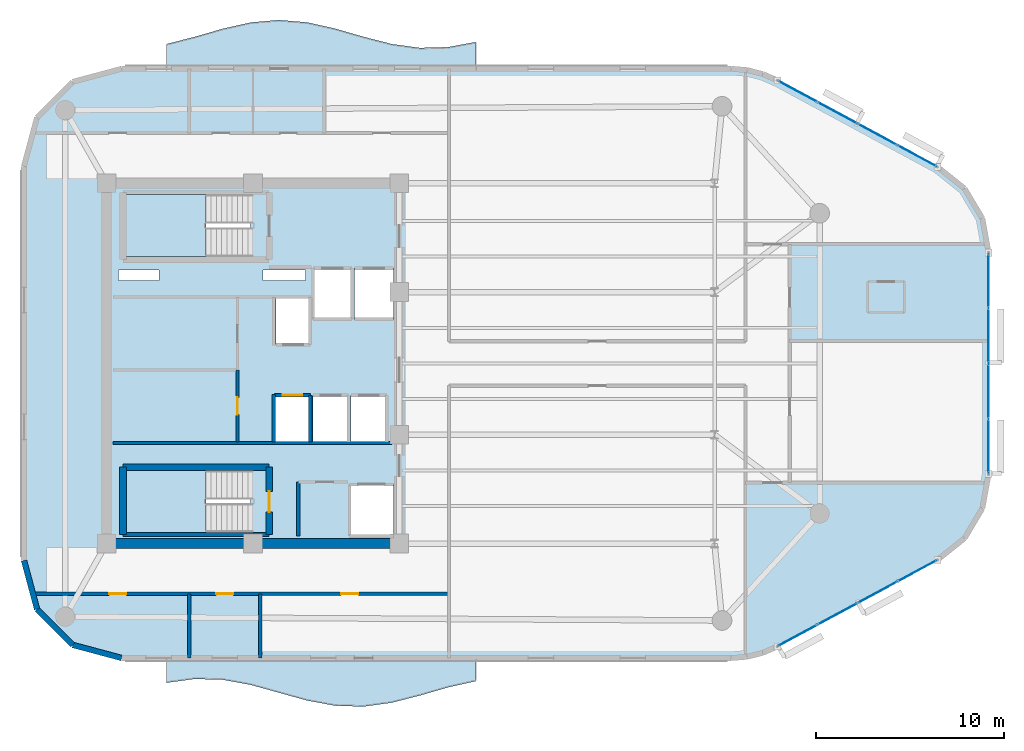
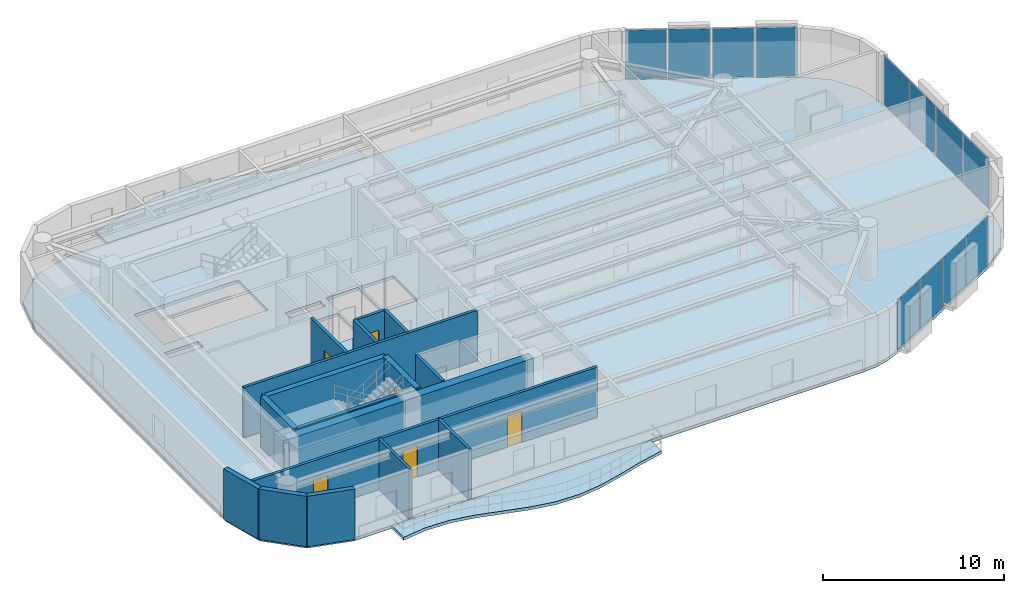
# One storey, part 8 of 13: 17 walls, 12 plates, 6 doors, 5 slabs, 6 openings, 5 elements without a shape of their own.
"""IFC4 building model written with IfcOpenShell, lengths in metres."""

from ifc_helpers import new_model, si_unit, direction, frame, frame_2d, origin, origin_2d, place, context, subcontext, project, spatial, polyline, rectangle, outline, extrude, material, layer, layer_set, type_object, element, fill, aggregate, save


model = new_model("IFC4")

# Units and contexts
model_context = context("Model", 3, precision=1e-05, world=origin(), true_north=direction((0.0, 1.0)))
body_context = subcontext(model_context, "Body", "Model", "MODEL_VIEW")
ifc_project = project(units=[si_unit("LENGTHUNIT", "METRE"), si_unit("AREAUNIT", "SQUARE_METRE"), si_unit("VOLUMEUNIT", "CUBIC_METRE"), si_unit("PLANEANGLEUNIT", "RADIAN"), si_unit("MASSUNIT", "GRAM", prefix="KILO")], contexts=[model_context])

# Site, building, storey
site_placement = place(None, origin())
site = spatial("IfcSite", under=ifc_project, at=site_placement, CompositionType="ELEMENT")
building_placement = place(site_placement, origin())
building = spatial("IfcBuilding", under=site, at=building_placement, Name="An Khanh Terracotta Commons", CompositionType="ELEMENT")
storey_placement = place(building_placement, frame((0.0, 0.0, 226.5)))
storey = spatial("IfcBuildingStorey", under=building, at=storey_placement, Name="L59", CompositionType="ELEMENT", Elevation=226.5)

# Curtain wall, plates
ifc_material_1 = material(Name="Anodised Aluminium 6063-T6", Category="aluminium")
ifc_layer_1 = layer(ifc_material_1, 0.2099609375, Name="Anodised Aluminium 6063-T6")
ifc_layer_set_1 = layer_set([ifc_layer_1], Name="Anodised Aluminium 6063-T6")
curtain_wall_type = type_object("IfcCurtainWallType", Name="CW-SYS-03", PredefinedType="USERDEFINED", material=ifc_layer_set_1)
curtain_wall_1_placement = place(storey_placement, origin())
curtain_wall_1 = element("IfcCurtainWall", 1, at=curtain_wall_1_placement, inside=storey, type_object=curtain_wall_type, Name="L59 CW-03 Unitised Curtain Wall CW-L59-08", ObjectType="UNITISED CURTAIN WALL", PredefinedType="USERDEFINED")
ifc_material_2 = material(Name="Acoustic Laminated Low-E Glazing", Category="glass")
ifc_layer_2 = layer(ifc_material_2, 0.035888671875, Name="Acoustic Laminated Low-E Glazing")
ifc_layer_set_2 = layer_set([ifc_layer_2], Name="Acoustic Laminated Low-E Glazing")
plate_type = type_object("IfcPlateType", Name="CWP-IGU-36", PredefinedType="CURTAIN_PANEL", material=ifc_layer_set_2)
plate_1_placement = place(storey_placement, frame((58.436767578125, 9.508544921875, 0.0498046875), z_axis=(0.0, 0.0, 1.0), x_axis=(0.879780095306, 0.47538088298, 0.0)))
plate_1 = element("IfcPlate", 2, at=plate_1_placement, type_object=plate_type, Name="CW-03 panel 1.1", PredefinedType="CURTAIN_PANEL", context=body_context, shape_type="SweptSolid", body=[
    extrude(rectangle(XDim=2.314697265625, YDim=0.035888671875, at=origin_2d()), origin(), (0.0, 0.0, 1.0), 3.300048828125),
])
plate_2_placement = place(storey_placement, frame((60.550048828125, 10.650390625, 0.0498046875), z_axis=(0.0, 0.0, 1.0), x_axis=(0.879780095306, 0.47538088298, 0.0)))
plate_2 = element("IfcPlate", 3, at=plate_2_placement, type_object=plate_type, Name="CW-03 panel 2.1", PredefinedType="CURTAIN_PANEL", context=body_context, shape_type="SweptSolid", body=[
    extrude(rectangle(XDim=2.349609375, YDim=0.035888671875, at=origin_2d()), origin(), (0.0, 0.0, 1.0), 3.300048828125),
])
plate_3_placement = place(storey_placement, frame((62.678955078125, 11.800537109375, 0.0498046875), z_axis=(0.0, 0.0, 1.0), x_axis=(0.879780095306, 0.47538088298, 0.0)))
plate_3 = element("IfcPlate", 4, at=plate_3_placement, type_object=plate_type, Name="CW-03 panel 3.1", PredefinedType="CURTAIN_PANEL", context=body_context, shape_type="SweptSolid", body=[
    extrude(rectangle(XDim=2.349609375, YDim=0.035888671875, at=origin_2d()), origin(), (0.0, 0.0, 1.0), 3.300048828125),
])
plate_4_placement = place(storey_placement, frame((64.792236328125, 12.942626953125, 0.0498046875), z_axis=(0.0, 0.0, 1.0), x_axis=(0.879780095306, 0.47538088298, 0.0)))
plate_4 = element("IfcPlate", 5, at=plate_4_placement, type_object=plate_type, Name="CW-03 panel 4.1", PredefinedType="CURTAIN_PANEL", context=body_context, shape_type="SweptSolid", body=[
    extrude(rectangle(XDim=2.314697265625, YDim=0.035888671875, at=origin_2d()), origin(), (0.0, 0.0, 1.0), 3.300048828125),
])
aggregate(curtain_wall_1, [plate_1, plate_2, plate_3, plate_4])

curtain_wall_2_placement = place(storey_placement, origin())
curtain_wall_2 = element("IfcCurtainWall", 6, at=curtain_wall_2_placement, inside=storey, type_object=curtain_wall_type, Name="L59 CW-03 Unitised Curtain Wall CW-L59-12", ObjectType="UNITISED CURTAIN WALL", PredefinedType="USERDEFINED")
plate_5_placement = place(storey_placement, frame((68.60009765625, 19.59326171875, 0.0498046875), z_axis=(0.0, 0.0, 1.0), x_axis=(0.0, 1.0, 0.0)))
plate_5 = element("IfcPlate", 7, at=plate_5_placement, type_object=plate_type, Name="CW-03 panel 1.1", PredefinedType="CURTAIN_PANEL", context=body_context, shape_type="SweptSolid", body=[
    extrude(rectangle(XDim=2.844482421875, YDim=0.035888671875, at=origin_2d()), origin(), (0.0, 0.0, 1.0), 3.300048828125),
])
plate_6_placement = place(storey_placement, frame((68.60009765625, 22.525146484375, 0.0498046875), z_axis=(0.0, 0.0, 1.0), x_axis=(0.0, 1.0, 0.0)))
plate_6 = element("IfcPlate", 8, at=plate_6_placement, type_object=plate_type, Name="CW-03 panel 2.1", PredefinedType="CURTAIN_PANEL", context=body_context, shape_type="SweptSolid", body=[
    extrude(rectangle(XDim=2.87939453125, YDim=0.035888671875, at=origin_2d()), origin(), (0.0, 0.0, 1.0), 3.300048828125),
])
plate_7_placement = place(storey_placement, frame((68.60009765625, 25.474853515625, 0.0498046875), z_axis=(0.0, 0.0, 1.0), x_axis=(0.0, 1.0, 0.0)))
plate_7 = element("IfcPlate", 9, at=plate_7_placement, type_object=plate_type, Name="CW-03 panel 3.1", PredefinedType="CURTAIN_PANEL", context=body_context, shape_type="SweptSolid", body=[
    extrude(rectangle(XDim=2.87939453125, YDim=0.035888671875, at=origin_2d()), origin(), (0.0, 0.0, 1.0), 3.300048828125),
])
plate_8_placement = place(storey_placement, frame((68.60009765625, 28.40673828125, 0.0498046875), z_axis=(0.0, 0.0, 1.0), x_axis=(0.0, 1.0, 0.0)))
plate_8 = element("IfcPlate", 10, at=plate_8_placement, type_object=plate_type, Name="CW-03 panel 4.1", PredefinedType="CURTAIN_PANEL", context=body_context, shape_type="SweptSolid", body=[
    extrude(rectangle(XDim=2.844482421875, YDim=0.035888671875, at=origin_2d()), origin(), (0.0, 0.0, 1.0), 3.300048828125),
])
aggregate(curtain_wall_2, [plate_5, plate_6, plate_7, plate_8])

curtain_wall_3_placement = place(storey_placement, origin())
curtain_wall_3 = element("IfcCurtainWall", 11, at=curtain_wall_3_placement, inside=storey, type_object=curtain_wall_type, Name="L59 CW-03 Unitised Curtain Wall CW-L59-16", ObjectType="UNITISED CURTAIN WALL", PredefinedType="USERDEFINED")
plate_9_placement = place(storey_placement, frame((64.792236328125, 35.057373046875, 0.0498046875), z_axis=(0.0, 0.0, 1.0), x_axis=(-0.879780095306, 0.47538088298, 0.0)))
plate_9 = element("IfcPlate", 12, at=plate_9_placement, type_object=plate_type, Name="CW-03 panel 1.1", PredefinedType="CURTAIN_PANEL", context=body_context, shape_type="SweptSolid", body=[
    extrude(rectangle(XDim=2.314697265625, YDim=0.035888671875, at=origin_2d()), origin(), (0.0, 0.0, 1.0), 3.300048828125),
])
plate_10_placement = place(storey_placement, frame((62.678955078125, 36.199462890625, 0.0498046875), z_axis=(0.0, 0.0, 1.0), x_axis=(-0.879780095306, 0.47538088298, 0.0)))
plate_10 = element("IfcPlate", 13, at=plate_10_placement, type_object=plate_type, Name="CW-03 panel 2.1", PredefinedType="CURTAIN_PANEL", context=body_context, shape_type="SweptSolid", body=[
    extrude(rectangle(XDim=2.349609375, YDim=0.035888671875, at=origin_2d()), origin(), (0.0, 0.0, 1.0), 3.300048828125),
])
plate_11_placement = place(storey_placement, frame((60.550048828125, 37.349609375, 0.0498046875), z_axis=(0.0, 0.0, 1.0), x_axis=(-0.879780095306, 0.47538088298, 0.0)))
plate_11 = element("IfcPlate", 14, at=plate_11_placement, type_object=plate_type, Name="CW-03 panel 3.1", PredefinedType="CURTAIN_PANEL", context=body_context, shape_type="SweptSolid", body=[
    extrude(rectangle(XDim=2.349609375, YDim=0.035888671875, at=origin_2d()), origin(), (0.0, 0.0, 1.0), 3.300048828125),
])
plate_12_placement = place(storey_placement, frame((58.436767578125, 38.491455078125, 0.0498046875), z_axis=(0.0, 0.0, 1.0), x_axis=(-0.879780095306, 0.47538088298, 0.0)))
plate_12 = element("IfcPlate", 15, at=plate_12_placement, type_object=plate_type, Name="CW-03 panel 4.1", PredefinedType="CURTAIN_PANEL", context=body_context, shape_type="SweptSolid", body=[
    extrude(rectangle(XDim=2.314697265625, YDim=0.035888671875, at=origin_2d()), origin(), (0.0, 0.0, 1.0), 3.300048828125),
])
aggregate(curtain_wall_3, [plate_9, plate_10, plate_11, plate_12])

# Slabs
ifc_material_3 = material(Name="Concrete C40/50", Category="concrete")
ifc_layer_3 = layer(ifc_material_3, 0.199951171875, Name="Concrete C40/50")
ifc_layer_set_3 = layer_set([ifc_layer_3], Name="Concrete C40/50")
slab_type_1 = type_object("IfcSlabType", Name="SLAB-BALC-200", PredefinedType="FLOOR", material=ifc_layer_set_3)
slab_1_placement = place(storey_placement, frame((0.0, 0.0, -0.199951171875)))
element("IfcSlab", 16, at=slab_1_placement, inside=storey, type_object=slab_type_1, Name="L59 S Sinusoidal Wave Balcony Slab", PredefinedType="FLOOR", context=body_context, shape_type="SweptSolid", body=[
    extrude(outline(polyline([(24.800048828125, 8.300048828125), (24.800048828125, 6.97998046875), (26.300048828125, 7.18603515625), (27.800048828125, 7.14306640625), (29.300048828125, 6.866943359375), (30.800048828125, 6.449951171875), (32.300048828125, 6.032958984375), (33.800048828125, 5.757080078125), (35.300048828125, 5.714111328125), (36.800048828125, 5.919921875), (38.300048828125, 6.303955078125), (39.800048828125, 6.737060546875), (41.300048828125, 7.073974609375), (41.300048828125, 8.300048828125), (24.800048828125, 8.300048828125)])), origin(), (0.0, 0.0, 1.0), 0.199951171875),
])
slab_2_placement = place(storey_placement, frame((0.0, 0.0, -0.199951171875)))
element("IfcSlab", 17, at=slab_2_placement, inside=storey, type_object=slab_type_1, Name="L59 N Sinusoidal Wave Balcony Slab", PredefinedType="FLOOR", context=body_context, shape_type="SweptSolid", body=[
    extrude(outline(polyline([(41.300048828125, 39.699951171875), (41.300048828125, 41.133056640625), (39.800048828125, 40.85693359375), (38.300048828125, 40.81396484375), (36.800048828125, 41.02001953125), (35.300048828125, 41.404052734375), (33.800048828125, 41.8369140625), (32.300048828125, 42.174072265625), (30.800048828125, 42.300048828125), (29.300048828125, 42.174072265625), (27.800048828125, 41.8369140625), (26.300048828125, 41.404052734375), (24.800048828125, 41.02001953125), (24.800048828125, 39.699951171875), (41.300048828125, 39.699951171875)])), origin(), (0.0, 0.0, 1.0), 0.199951171875),
])

# Stair, slab
ifc_material_4 = material(Name="Precast concrete C40/50", Category="concrete")
stair_type = type_object("IfcStairType", Name="STAIR-CORE-1550", PredefinedType="HALF_TURN_STAIR", material=ifc_material_4)
stair_1_placement = place(storey_placement, origin())
stair_1 = element("IfcStair", 18, at=stair_1_placement, inside=storey, type_object=stair_type, Name="L59 Core Smokeproof Exit Stair ST-01", PredefinedType="HALF_TURN_STAIR")
ifc_layer_4 = layer(ifc_material_3, 0.18994140625, Name="Concrete C40/50")
ifc_layer_set_4 = layer_set([ifc_layer_4], Name="Concrete C40/50")
slab_type_2 = type_object("IfcSlabType", Name="SLAB-LANDING-190", PredefinedType="LANDING", material=ifc_layer_set_4)
slab_3_placement = place(storey_placement, frame((0.0, 0.0, 1.60009765625)))
slab_3 = element("IfcSlab", 19, at=slab_3_placement, type_object=slab_type_2, Name="ST-01 landing 1", PredefinedType="LANDING", context=body_context, shape_type="SweptSolid", body=[
    extrude(outline(polyline([(26.889892578125, 33.0), (22.64990234375, 33.0), (22.64990234375, 29.699951171875), (26.889892578125, 29.699951171875), (26.889892578125, 33.0)])), origin(), (0.0, 0.0, 1.0), 0.199951171875),
])
aggregate(stair_1, [slab_3])

stair_2_placement = place(storey_placement, origin())
stair_2 = element("IfcStair", 20, at=stair_2_placement, inside=storey, type_object=stair_type, Name="L59 Core Smokeproof Exit Stair ST-02", PredefinedType="HALF_TURN_STAIR")
slab_4_placement = place(storey_placement, frame((0.0, 0.0, 1.60009765625)))
slab_4 = element("IfcSlab", 21, at=slab_4_placement, type_object=slab_type_2, Name="ST-02 landing 1", PredefinedType="LANDING", context=body_context, shape_type="SweptSolid", body=[
    extrude(outline(polyline([(26.889892578125, 18.300048828125), (22.64990234375, 18.300048828125), (22.64990234375, 15.0), (26.889892578125, 15.0), (26.889892578125, 18.300048828125)])), origin(), (0.0, 0.0, 1.0), 0.199951171875),
])
aggregate(stair_2, [slab_4])

# Slab
ifc_layer_5 = layer(ifc_material_3, 0.199951171875, Name="Concrete C40/50")
ifc_layer_set_5 = layer_set([ifc_layer_5], Name="Concrete C40/50")
slab_type_3 = type_object("IfcSlabType", Name="SLAB-TYP-200", PredefinedType="FLOOR", material=ifc_layer_set_5)
slab_5_placement = place(storey_placement, frame((0.0, 0.0, -0.199951171875)))
element("IfcSlab", 22, at=slab_5_placement, inside=storey, type_object=slab_type_3, Name="L59 Structural Floor Slab", PredefinedType="FLOOR", context=body_context, shape_type="SweptSolid", body=[
    extrude(outline(polyline([(17.199951171875, 13.5), (17.89697265625, 10.89990234375), (19.800048828125, 8.9970703125), (22.39990234375, 8.300048828125), (54.885009765625, 8.300048828125), (55.739990234375, 8.37109375), (56.571044921875, 8.5810546875), (57.35693359375, 8.925048828125), (65.8720703125, 13.52587890625), (67.320068359375, 14.68408203125), (68.26904296875, 16.27587890625), (68.60009765625, 18.10107421875), (68.60009765625, 29.89892578125), (68.26904296875, 31.72412109375), (67.320068359375, 33.31591796875), (65.8720703125, 34.47412109375), (57.35693359375, 39.074951171875), (56.571044921875, 39.4189453125), (55.739990234375, 39.62890625), (54.885009765625, 39.699951171875), (22.39990234375, 39.699951171875), (19.800048828125, 39.0029296875), (17.89697265625, 37.10009765625), (17.199951171875, 34.5), (17.199951171875, 13.5)]), holes=[polyline([(22.64990234375, 29.699951171875), (29.27001953125, 29.699951171875), (29.27001953125, 33.0), (22.64990234375, 33.0), (22.64990234375, 29.699951171875)]), polyline([(22.64990234375, 15.0), (29.27001953125, 15.0), (29.27001953125, 18.300048828125), (22.64990234375, 18.300048828125), (22.64990234375, 15.0)]), polyline([(32.60009765625, 26.35009765625), (34.679931640625, 26.35009765625), (34.679931640625, 29.080078125), (32.60009765625, 29.080078125), (32.60009765625, 26.35009765625)]), polyline([(34.820068359375, 26.35009765625), (36.89990234375, 26.35009765625), (36.89990234375, 29.080078125), (34.820068359375, 29.080078125), (34.820068359375, 26.35009765625)]), polyline([(34.550048828125, 14.800048828125), (36.89990234375, 14.800048828125), (36.89990234375, 17.550048828125), (34.550048828125, 17.550048828125), (34.550048828125, 14.800048828125)]), polyline([(30.639892578125, 25.0), (32.4599609375, 25.0), (32.4599609375, 27.5), (30.639892578125, 27.5), (30.639892578125, 25.0)]), polyline([(30.56005859375, 19.800048828125), (32.4599609375, 19.800048828125), (32.4599609375, 22.300048828125), (30.56005859375, 22.300048828125), (30.56005859375, 19.800048828125)]), polyline([(32.60009765625, 19.800048828125), (34.5, 19.800048828125), (34.5, 22.300048828125), (32.60009765625, 22.300048828125), (32.60009765625, 19.800048828125)]), polyline([(34.639892578125, 19.800048828125), (36.5400390625, 19.800048828125), (36.5400390625, 22.300048828125), (34.639892578125, 22.300048828125), (34.639892578125, 19.800048828125)]), polyline([(22.25, 28.419921875), (24.39990234375, 28.419921875), (24.39990234375, 28.97998046875), (22.25, 28.97998046875), (22.25, 28.419921875)]), polyline([(29.949951171875, 28.419921875), (32.199951171875, 28.419921875), (32.199951171875, 28.97998046875), (29.949951171875, 28.97998046875), (29.949951171875, 28.419921875)])]), origin(), (0.0, 0.0, 1.0), 0.199951171875),
])

# Walls
ifc_material_5 = material(Name="Concrete C50/60", Category="concrete")
ifc_layer_6 = layer(ifc_material_5, 0.550048828125, Name="Concrete C50/60")
ifc_layer_set_6 = layer_set([ifc_layer_6], Name="Concrete C50/60")
wall_type_1 = type_object("IfcWallType", Name="WALL-CORE-550", PredefinedType="SHEAR", material=ifc_layer_set_6)
wall_1_placement = place(storey_placement, frame((37.199951171875, 14.39990234375, 0.0), z_axis=(0.0, 0.0, 1.0), x_axis=(-1.0, 0.0, 0.0)))
element("IfcWall", 23, at=wall_1_placement, inside=storey, type_object=wall_type_1, Name="L59 Core Wall CWALL-L59-S", PredefinedType="SHEAR", context=body_context, shape_type="SweptSolid", body=[
    extrude(rectangle(XDim=15.599853515625, YDim=0.550048828125, at=frame_2d((7.7998046875, 0.0))), origin(), (0.0, 0.0, 1.0), 3.39990234375),
])
ifc_material_6 = material(Name="Fire-Rated Gypsum Board on Steel Stud", Category="steel")
ifc_layer_7 = layer(ifc_material_6, 0.179931640625, Name="Fire-Rated Gypsum Board on Steel Stud")
ifc_layer_set_7 = layer_set([ifc_layer_7], Name="Fire-Rated Gypsum Board on Steel Stud")
wall_type_2 = type_object("IfcWallType", Name="WALL-CORR-180", PredefinedType="PARTITIONING", material=ifc_layer_set_7)
wall_2_placement = place(storey_placement, frame((21.949951171875, 19.760009765625, 0.0), z_axis=(0.0, 0.0, 1.0), x_axis=(1.0, 0.0, 0.0)))
element("IfcWall", 24, at=wall_2_placement, inside=storey, type_object=wall_type_2, Name="L59 Core Wall SVW-L59-N", PredefinedType="PARTITIONING", context=body_context, shape_type="SweptSolid", body=[
    extrude(rectangle(XDim=14.8701171875, YDim=0.179931640625, at=frame_2d((7.43505859375, 0.0))), origin(), (0.0, 0.0, 1.0), 3.39990234375),
])
wall_3_placement = place(storey_placement, frame((31.820068359375, 14.800048828125, 0.0), z_axis=(0.0, 0.0, 1.0), x_axis=(0.0, 1.0, 0.0)))
element("IfcWall", 25, at=wall_3_placement, inside=storey, type_object=wall_type_2, Name="L59 Core Wall SSVCW-L59-W", PredefinedType="PARTITIONING", context=body_context, shape_type="SweptSolid", body=[
    extrude(rectangle(XDim=2.8798828125, YDim=0.179931640625, at=frame_2d((1.43994140625, 0.0))), origin(), (0.0, 0.0, 1.0), 3.39990234375),
])

# Wall, opening, door
wall_4_placement = place(storey_placement, frame((30.56005859375, 22.300048828125, 0.0), z_axis=(0.0, 0.0, 1.0), x_axis=(1.0, 0.0, 0.0)))
wall_4 = element("IfcWall", 26, at=wall_4_placement, inside=storey, type_object=wall_type_2, Name="L59 Core Wall LSH-L59-PL-H2-N", PredefinedType="PARTITIONING", context=body_context, shape_type="SweptSolid", body=[
    extrude(rectangle(XDim=1.89990234375, YDim=0.179931640625, at=frame_2d((0.949951171875, 0.0))), origin(), (0.0, 0.0, 1.0), 3.39990234375),
])
opening_1_placement = place(wall_4_placement, frame((0.425048828125, 0.0, 0.0)))
opening_1 = element("IfcOpeningElement", 27, at=opening_1_placement, cuts=wall_4, Name="Opening LD-PL-H2-L59", PredefinedType="OPENING", context=body_context, shape_type="SweptSolid", body=[
    extrude(rectangle(XDim=1.050048828125, YDim=2.199951171875, at=frame_2d((0.52490234375, 1.10009765625))), frame((0.0, 0.099853515625, 0.0), z_axis=(0.0, -1.0, 0.0), x_axis=(1.0, 0.0, 0.0)), (0.0, 0.0, 1.0), 0.199951171875),
])
ifc_material_7 = material(Name="Brushed Stainless Steel High-Rise Landing Door", Category="steel")
door_type_1 = type_object("IfcDoorType", Name="DOOR-LD-PAXH-1050", OperationType="NOTDEFINED", PredefinedType="DOOR", material=ifc_material_7)
door_1_placement = place(opening_1_placement, origin())
door_1 = element("IfcDoor", 28, at=door_1_placement, inside=storey, type_object=door_type_1, Name="L59 Lift PL-H2 Sliding Landing Door", OperationType="DOUBLE_DOOR_SLIDING", OverallHeight=2.199951171875, OverallWidth=1.050048828125, PredefinedType="DOOR", context=body_context, shape_type="SweptSolid", body=[
    extrude(rectangle(XDim=1.050048828125, YDim=2.199951171875, at=frame_2d((0.52490234375, 1.10009765625))), frame((0.0, 0.02490234375, 0.0), z_axis=(0.0, -1.0, 0.0), x_axis=(1.0, 0.0, 0.0)), (0.0, 0.0, 1.0), 0.050048828125),
])
fill(opening_1, door_1)

# Walls
wall_5_placement = place(storey_placement, frame((32.4599609375, 19.800048828125, 0.0), z_axis=(0.0, 0.0, 1.0), x_axis=(0.0, 1.0, 0.0)))
element("IfcWall", 29, at=wall_5_placement, inside=storey, type_object=wall_type_2, Name="L59 Core Wall LSH-L59-PL-H2-E", PredefinedType="PARTITIONING", context=body_context, shape_type="SweptSolid", body=[
    extrude(rectangle(XDim=2.5, YDim=0.179931640625, at=frame_2d((1.25, 0.0))), origin(), (0.0, 0.0, 1.0), 3.39990234375),
])
wall_6_placement = place(storey_placement, frame((30.52001953125, 19.800048828125, 0.0), z_axis=(0.0, 0.0, 1.0), x_axis=(0.0, 1.0, 0.0)))
element("IfcWall", 30, at=wall_6_placement, inside=storey, type_object=wall_type_2, Name="L59 Core Wall RECW-L59-BE2", PredefinedType="PARTITIONING", context=body_context, shape_type="SweptSolid", body=[
    extrude(rectangle(XDim=2.550048828125, YDim=0.179931640625, at=frame_2d((1.27490234375, 0.0))), origin(), (0.0, 0.0, 1.0), 3.39990234375),
])

# Wall, opening, door
wall_7_placement = place(storey_placement, frame((28.580078125, 19.800048828125, 0.0), z_axis=(0.0, 0.0, 1.0), x_axis=(0.0, 1.0, 0.0)))
wall_7 = element("IfcWall", 31, at=wall_7_placement, inside=storey, type_object=wall_type_2, Name="L59 Core Wall RECW-L59-E2", PredefinedType="PARTITIONING", context=body_context, shape_type="SweptSolid", body=[
    extrude(rectangle(XDim=3.849853515625, YDim=0.179931640625, at=frame_2d((1.9248046875, 0.0))), origin(), (0.0, 0.0, 1.0), 3.39990234375),
])
opening_2_placement = place(wall_7_placement, frame((1.465087890625, 0.0, 0.0)))
opening_2 = element("IfcOpeningElement", 32, at=opening_2_placement, cuts=wall_7, Name="Opening D-RM", PredefinedType="OPENING", context=body_context, shape_type="SweptSolid", body=[
    extrude(rectangle(XDim=0.919921875, YDim=2.10009765625, at=frame_2d((0.4599609375, 1.050048828125))), frame((0.0, 0.099853515625, 0.0), z_axis=(0.0, -1.0, 0.0), x_axis=(1.0, 0.0, 0.0)), (0.0, 0.0, 1.0), 0.199951171875),
])
ifc_material_8 = material(Name="Engineered Hardwood Timber Leaf", Category="wood")
door_type_2 = type_object("IfcDoorType", Name="DOOR-INT-920", OperationType="NOTDEFINED", PredefinedType="DOOR", material=ifc_material_8)
door_2_placement = place(opening_2_placement, origin())
door_2 = element("IfcDoor", 33, at=door_2_placement, inside=storey, type_object=door_type_2, Name="L59 Quiet Fellowship Study Room Door", OperationType="SINGLE_SWING_LEFT", OverallHeight=2.10009765625, OverallWidth=0.919921875, PredefinedType="DOOR", context=body_context, shape_type="SweptSolid", body=[
    extrude(rectangle(XDim=0.919921875, YDim=2.10009765625, at=frame_2d((0.4599609375, 1.050048828125))), frame((0.0, 0.02490234375, 0.0), z_axis=(0.0, -1.0, 0.0), x_axis=(1.0, 0.0, 0.0)), (0.0, 0.0, 1.0), 0.050048828125),
])
fill(opening_2, door_2)

# Wall, openings, doors
wall_8_placement = place(storey_placement, frame((17.677001953125, 11.719970703125, 0.0), z_axis=(0.0, 0.0, 1.0), x_axis=(1.0, 0.0, 0.0)))
wall_8 = element("IfcWall", 34, at=wall_8_placement, inside=storey, type_object=wall_type_2, Name="L59 Interior Partition IW-L59-E001", PredefinedType="PARTITIONING", context=body_context, shape_type="SweptSolid", body=[
    extrude(rectangle(XDim=22.173095703125, YDim=0.179931640625, at=frame_2d((11.08642578125, 0.0))), origin(), (0.0, 0.0, 1.0), 3.39990234375),
])
opening_3_placement = place(wall_8_placement, frame((9.762939453125, 0.0, 0.0)))
opening_3 = element("IfcOpeningElement", 35, at=opening_3_placement, cuts=wall_8, Name="Opening D-RM", PredefinedType="OPENING", context=body_context, shape_type="SweptSolid", body=[
    extrude(rectangle(XDim=0.919921875, YDim=2.10009765625, at=frame_2d((0.4599609375, 1.050048828125))), frame((0.0, 0.099853515625, 0.0), z_axis=(0.0, -1.0, 0.0), x_axis=(1.0, 0.0, 0.0)), (0.0, 0.0, 1.0), 0.199951171875),
])
opening_4_placement = place(wall_8_placement, frame((4.06298828125, 0.0, 0.0)))
opening_4 = element("IfcOpeningElement", 36, at=opening_4_placement, cuts=wall_8, Name="Opening D-RM", PredefinedType="OPENING", context=body_context, shape_type="SweptSolid", body=[
    extrude(rectangle(XDim=0.919921875, YDim=2.10009765625, at=frame_2d((0.4599609375, 1.050048828125))), frame((0.0, 0.099853515625, 0.0), z_axis=(0.0, -1.0, 0.0), x_axis=(1.0, 0.0, 0.0)), (0.0, 0.0, 1.0), 0.199951171875),
])
opening_5_placement = place(wall_8_placement, frame((16.427978515625, 0.0, 0.0)))
opening_5 = element("IfcOpeningElement", 37, at=opening_5_placement, cuts=wall_8, Name="Opening D-RM", PredefinedType="OPENING", context=body_context, shape_type="SweptSolid", body=[
    extrude(rectangle(XDim=0.919921875, YDim=2.10009765625, at=frame_2d((0.4599609375, 1.050048828125))), frame((0.0, 0.099853515625, 0.0), z_axis=(0.0, -1.0, 0.0), x_axis=(1.0, 0.0, 0.0)), (0.0, 0.0, 1.0), 0.199951171875),
])
door_3_placement = place(opening_3_placement, origin())
door_3 = element("IfcDoor", 38, at=door_3_placement, inside=storey, type_object=door_type_2, Name="L59 HKP Housekeeping Linen Store Door", OperationType="SINGLE_SWING_LEFT", OverallHeight=2.10009765625, OverallWidth=0.919921875, PredefinedType="DOOR", context=body_context, shape_type="SweptSolid", body=[
    extrude(rectangle(XDim=0.919921875, YDim=2.10009765625, at=frame_2d((0.4599609375, 1.050048828125))), frame((0.0, 0.02490234375, 0.0), z_axis=(0.0, -1.0, 0.0), x_axis=(1.0, 0.0, 0.0)), (0.0, 0.0, 1.0), 0.050048828125),
])
fill(opening_3, door_3)
door_4_placement = place(opening_4_placement, origin())
door_4 = element("IfcDoor", 39, at=door_4_placement, inside=storey, type_object=door_type_2, Name="L59 SW1 Boardroom Meeting Room Door", OperationType="SINGLE_SWING_RIGHT", OverallHeight=2.10009765625, OverallWidth=0.919921875, PredefinedType="DOOR", context=body_context, shape_type="SweptSolid", body=[
    extrude(rectangle(XDim=0.919921875, YDim=2.10009765625, at=frame_2d((0.4599609375, 1.050048828125))), frame((0.0, 0.02490234375, 0.0), z_axis=(0.0, -1.0, 0.0), x_axis=(1.0, 0.0, 0.0)), (0.0, 0.0, 1.0), 0.050048828125),
])
fill(opening_4, door_4)
door_5_placement = place(opening_5_placement, origin())
door_5 = element("IfcDoor", 40, at=door_5_placement, inside=storey, type_object=door_type_2, Name="L59 SWE Academic Seminar Room Door", OperationType="SINGLE_SWING_LEFT", OverallHeight=2.10009765625, OverallWidth=0.919921875, PredefinedType="DOOR", context=body_context, shape_type="SweptSolid", body=[
    extrude(rectangle(XDim=0.919921875, YDim=2.10009765625, at=frame_2d((0.4599609375, 1.050048828125))), frame((0.0, 0.02490234375, 0.0), z_axis=(0.0, -1.0, 0.0), x_axis=(1.0, 0.0, 0.0)), (0.0, 0.0, 1.0), 0.050048828125),
])
fill(opening_5, door_5)

# Walls
for number, where, z_axis, x_axis, name in (
    (41, (26.0, 8.300048828125, 0.0), (0.0, 0.0, 1.0), (0.0, 1.0, 0.0), "L59 Interior Partition IW-L59-E008"),
    (42, (29.800048828125, 8.300048828125, 0.0), (0.0, 0.0, 1.0), (0.0, 1.0, 0.0), "L59 Interior Partition IW-L59-E011"),
):
    element("IfcWall", number, at=place(storey_placement, frame(where, z_axis=z_axis, x_axis=x_axis)), inside=storey, type_object=wall_type_2, Name=name, PredefinedType="PARTITIONING", context=body_context, shape_type="SweptSolid", body=[
        extrude(rectangle(XDim=3.419921875, YDim=0.179931640625, at=frame_2d((1.7099609375, 0.0))), origin(), (0.0, 0.0, 1.0), 3.39990234375),
    ])
ifc_layer_8 = layer(ifc_material_4, 0.300048828125, Name="Precast concrete C40/50")
ifc_layer_set_8 = layer_set([ifc_layer_8], Name="Precast concrete C40/50")
wall_type_3 = type_object("IfcWallType", Name="WALL-EXT-300", PredefinedType="SOLIDWALL", material=ifc_layer_set_8)
wall_9_placement = place(storey_placement, frame((17.199951171875, 13.5, 0.0), z_axis=(0.0, 0.0, 1.0), x_axis=(0.258932525951, -0.965895412042, 0.0)))
element("IfcWall", 43, at=wall_9_placement, inside=storey, type_object=wall_type_3, Name="L59 Insulated Terracotta Exterior Wall 1", PredefinedType="SOLIDWALL", context=body_context, shape_type="SweptSolid", body=[
    extrude(rectangle(XDim=2.69189453125, YDim=0.300048828125, at=frame_2d((1.345947265625, 0.0))), origin(), (0.0, 0.0, 1.0), 3.39990234375),
])
wall_10_placement = place(storey_placement, frame((17.89697265625, 10.89990234375, 0.0), z_axis=(0.0, 0.0, 1.0), x_axis=(0.707152139074, -0.70706142039, 0.0)))
element("IfcWall", 44, at=wall_10_placement, inside=storey, type_object=wall_type_3, Name="L59 Insulated Terracotta Exterior Wall 2", PredefinedType="SOLIDWALL", context=body_context, shape_type="SweptSolid", body=[
    extrude(rectangle(XDim=2.691162109375, YDim=0.300048828125, at=frame_2d((1.345703125, 0.0))), origin(), (0.0, 0.0, 1.0), 3.39990234375),
])
wall_11_placement = place(storey_placement, frame((19.800048828125, 8.9970703125, 0.0), z_axis=(0.0, 0.0, 1.0), x_axis=(0.965889330541, -0.258955210695, 0.0)))
element("IfcWall", 45, at=wall_11_placement, inside=storey, type_object=wall_type_3, Name="L59 Insulated Terracotta Exterior Wall 3", PredefinedType="SOLIDWALL", context=body_context, shape_type="SweptSolid", body=[
    extrude(rectangle(XDim=2.691650390625, YDim=0.300048828125, at=frame_2d((1.345703125, 0.0))), origin(), (0.0, 0.0, 1.0), 3.39990234375),
])
ifc_material_9 = material(Name="Acoustic Double-Stud Gypsum and Mineral Wool")
ifc_layer_9 = layer(ifc_material_9, 0.219970703125, Name="Acoustic Double-Stud Gypsum and Mineral Wool")
ifc_layer_set_9 = layer_set([ifc_layer_9], Name="Acoustic Double-Stud Gypsum and Mineral Wool")
wall_type_4 = type_object("IfcWallType", Name="WALL-PARTY-220", PredefinedType="PARTITIONING", material=ifc_layer_set_9)
wall_12_placement = place(storey_placement, frame((22.47998046875, 14.889892578125, 0.0), z_axis=(0.0, 0.0, 1.0), x_axis=(1.0, 0.0, 0.0)))
element("IfcWall", 46, at=wall_12_placement, inside=storey, type_object=wall_type_4, Name="L59 Core Wall STW-L59-S-S", PredefinedType="PARTITIONING", context=body_context, shape_type="SweptSolid", body=[
    extrude(rectangle(XDim=7.7900390625, YDim=0.219970703125, at=frame_2d((3.89501953125, 0.0))), origin(), (0.0, 0.0, 1.0), 3.39990234375),
])
ifc_layer_10 = layer(ifc_material_5, 0.35009765625, Name="Concrete C50/60")
ifc_layer_set_10 = layer_set([ifc_layer_10], Name="Concrete C50/60")
wall_type_5 = type_object("IfcWallType", Name="WALL-SHAFT-350", PredefinedType="SOLIDWALL", material=ifc_layer_set_10)
wall_13_placement = place(storey_placement, frame((22.47998046875, 18.469970703125, 0.0), z_axis=(0.0, 0.0, 1.0), x_axis=(1.0, 0.0, 0.0)))
element("IfcWall", 47, at=wall_13_placement, inside=storey, type_object=wall_type_5, Name="L59 Core Wall STW-L59-S-N", PredefinedType="SOLIDWALL", context=body_context, shape_type="SweptSolid", body=[
    extrude(rectangle(XDim=7.7900390625, YDim=0.35009765625, at=frame_2d((3.89501953125, 0.0))), origin(), (0.0, 0.0, 1.0), 3.39990234375),
])
wall_14_placement = place(storey_placement, frame((22.47998046875, 14.889892578125, 0.0), z_axis=(0.0, 0.0, 1.0), x_axis=(0.0, 1.0, 0.0)))
element("IfcWall", 48, at=wall_14_placement, inside=storey, type_object=wall_type_5, Name="L59 Core Wall STW-L59-S-W", PredefinedType="SOLIDWALL", context=body_context, shape_type="SweptSolid", body=[
    extrude(rectangle(XDim=3.580078125, YDim=0.35009765625, at=frame_2d((1.7900390625, 0.0))), origin(), (0.0, 0.0, 1.0), 3.39990234375),
])

# Wall, opening, door
wall_15_placement = place(storey_placement, frame((30.27001953125, 14.889892578125, 0.0), z_axis=(0.0, 0.0, 1.0), x_axis=(0.0, 1.0, 0.0)))
wall_15 = element("IfcWall", 49, at=wall_15_placement, inside=storey, type_object=wall_type_5, Name="L59 Core Wall STW-L59-S-E", PredefinedType="SOLIDWALL", context=body_context, shape_type="SweptSolid", body=[
    extrude(rectangle(XDim=3.580078125, YDim=0.35009765625, at=frame_2d((1.7900390625, 0.0))), origin(), (0.0, 0.0, 1.0), 3.39990234375),
])
opening_6_placement = place(wall_15_placement, frame((1.18994140625, 0.0, 0.0)))
opening_6 = element("IfcOpeningElement", 50, at=opening_6_placement, cuts=wall_15, Name="Opening D-ST", PredefinedType="OPENING", context=body_context, shape_type="SweptSolid", body=[
    extrude(rectangle(XDim=1.10009765625, YDim=2.14990234375, at=frame_2d((0.550048828125, 1.074951171875))), frame((0.0, 0.18505859375, 0.0), z_axis=(0.0, -1.0, 0.0), x_axis=(1.0, 0.0, 0.0)), (0.0, 0.0, 1.0), 0.3701171875),
])
ifc_material_10 = material(Name="Fire-Rated Steel Leaf and Frame", Category="steel")
door_type_3 = type_object("IfcDoorType", Name="DOOR-STAIR-1100", OperationType="NOTDEFINED", PredefinedType="DOOR", material=ifc_material_10)
door_6_placement = place(opening_6_placement, origin())
door_6 = element("IfcDoor", 51, at=door_6_placement, inside=storey, type_object=door_type_3, Name="L59 Stair ST-02 Fire Door", OperationType="SINGLE_SWING_RIGHT", OverallHeight=2.14990234375, OverallWidth=1.10009765625, PredefinedType="DOOR", context=body_context, shape_type="SweptSolid", body=[
    extrude(rectangle(XDim=1.10009765625, YDim=2.14990234375, at=frame_2d((0.550048828125, 1.074951171875))), frame((0.0, 0.02490234375, 0.0), z_axis=(0.0, -1.0, 0.0), x_axis=(1.0, 0.0, 0.0)), (0.0, 0.0, 1.0), 0.050048828125),
])
fill(opening_6, door_6)

save(model, "model.ifc")
